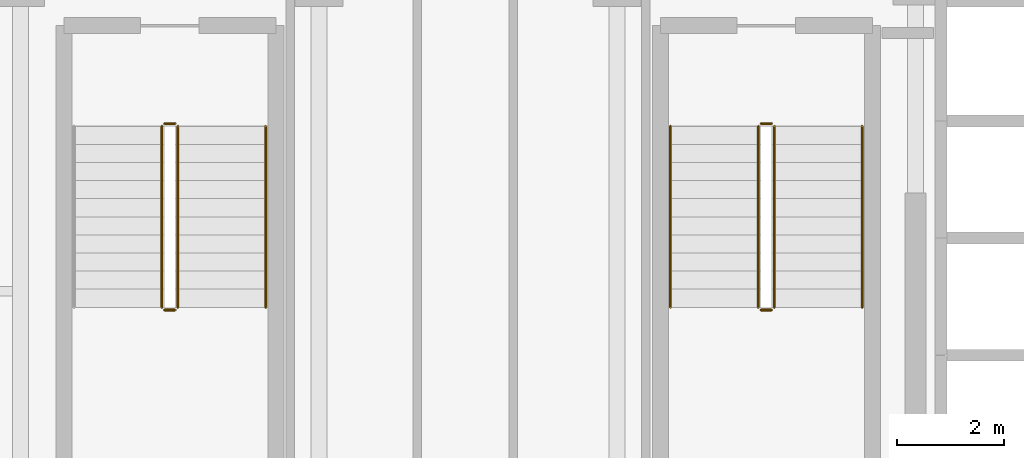
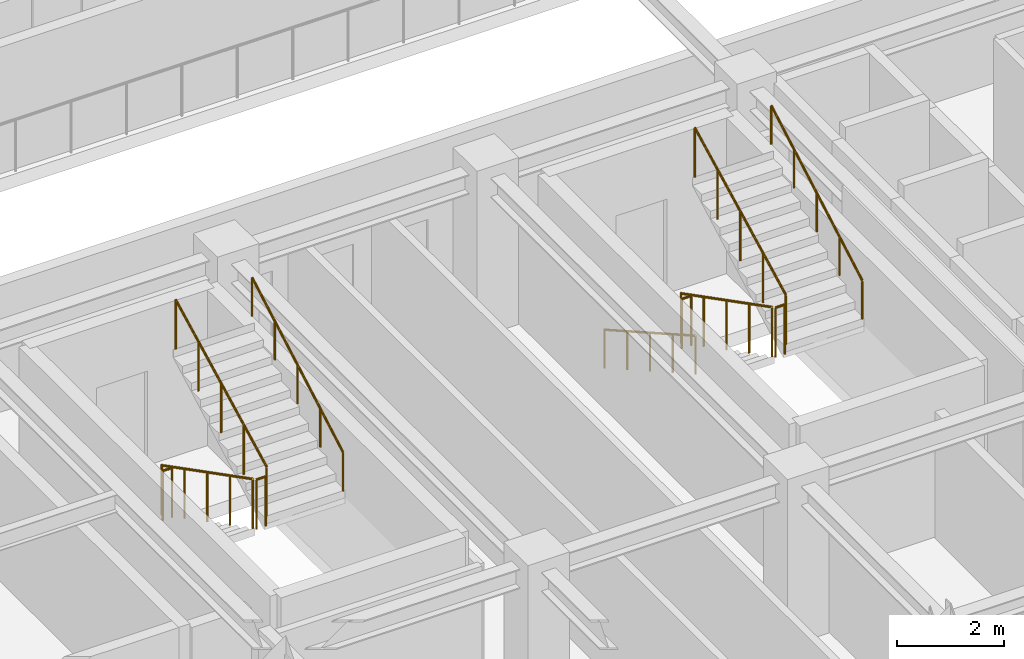
# One storey, part 10 of 14: 11 railings.
"""IFC4 building model written with IfcOpenShell, lengths in metres."""

from ifc_helpers import new_model, si_unit, direction, frame, origin, origin_2d, place, context, subcontext, project, spatial, circle, extrude, material, type_object, element, save


model = new_model("IFC4")

# Units and contexts
model_context = context("Model", 3, precision=1e-05, world=origin(), true_north=direction((0.0, 1.0)))
body_context = subcontext(model_context, "Body", "Model", "MODEL_VIEW")
ifc_project = project(units=[si_unit("LENGTHUNIT", "METRE"), si_unit("AREAUNIT", "SQUARE_METRE"), si_unit("VOLUMEUNIT", "CUBIC_METRE"), si_unit("PLANEANGLEUNIT", "RADIAN"), si_unit("MASSUNIT", "GRAM", prefix="KILO")], contexts=[model_context])

# Site, building, storey
site_placement = place(None, origin())
site = spatial("IfcSite", under=ifc_project, at=site_placement, CompositionType="ELEMENT")
building_placement = place(site_placement, origin())
building = spatial("IfcBuilding", under=site, at=building_placement, Name="Nahalor Promenade Grand Hotel", CompositionType="ELEMENT")
storey_placement = place(building_placement, frame((0.0, 0.0, 300.35009765625)))
storey = spatial("IfcBuildingStorey", under=building, at=storey_placement, Name="L77", CompositionType="ELEMENT", Elevation=300.35009765625)

# Railings
ifc_material = material(Name="Steel S355JR", Category="steel")
railing_type_1 = type_object("IfcRailingType", Name="Steel Stair Guardrail 1150 mm", PredefinedType="GUARDRAIL", material=ifc_material)
railing_1_placement = place(storey_placement, frame((5.449951171875, -8.10009765625, 0.1748046875)))
element("IfcRailing", 1, at=railing_1_placement, inside=storey, type_object=railing_type_1, Name="L77 ST2 stair guard 1", PredefinedType="GUARDRAIL", context=body_context, shape_type="SweptSolid", body=[
    extrude(circle(Radius=0.024048, at=origin_2d()), frame((0.0, 0.0, 1.1259765625), z_axis=(0.0, -0.889130461562, 0.457653823673), x_axis=(1.0, 0.0, 0.0)), (0.0, 0.0, 1.0), 3.82373046875),
    extrude(circle(Radius=0.020996, at=origin_2d()), origin(), (0.0, 0.0, 1.0), 1.099853515625),
    extrude(circle(Radius=0.020996, at=origin_2d()), frame((0.0, -0.85009765625, 0.4375)), (0.0, 0.0, 1.0), 1.099853515625),
    extrude(circle(Radius=0.020996, at=origin_2d()), frame((0.0, -1.699951171875, 0.875)), (0.0, 0.0, 1.0), 1.099853515625),
    extrude(circle(Radius=0.020996, at=origin_2d()), frame((0.0, -2.5498046875, 1.3125)), (0.0, 0.0, 1.0), 1.099853515625),
    extrude(circle(Radius=0.020996, at=origin_2d()), frame((0.0, -3.39990234375, 1.75)), (0.0, 0.0, 1.0), 1.099853515625),
])
railing_2_placement = place(storey_placement, frame((5.5, -11.550048828125, 1.9248046875)))
element("IfcRailing", 2, at=railing_2_placement, inside=storey, type_object=railing_type_1, Name="L77 ST2 stair guard 2", PredefinedType="GUARDRAIL", context=body_context, shape_type="SweptSolid", body=[
    extrude(circle(Radius=0.024048, at=origin_2d()), frame((0.0, 0.0, 1.1259765625), z_axis=(1.0, 0.0, 0.0), x_axis=(0.0, 1.0, 0.0)), (0.0, 0.0, 1.0), 0.199951171875),
    extrude(circle(Radius=0.020996, at=origin_2d()), origin(), (0.0, 0.0, 1.0), 1.099853515625),
    extrude(circle(Radius=0.020996, at=origin_2d()), frame((0.199951171875, 0.0, 0.0)), (0.0, 0.0, 1.0), 1.099853515625),
])
railing_3_placement = place(storey_placement, frame((5.75, -11.5, 2.099853515625)))
element("IfcRailing", 3, at=railing_3_placement, inside=storey, type_object=railing_type_1, Name="L77 ST2 stair guard 3", PredefinedType="GUARDRAIL", context=body_context, shape_type="SweptSolid", body=[
    extrude(circle(Radius=0.024048, at=origin_2d()), frame((0.0, 0.0, 1.1259765625), z_axis=(0.0, 0.889130461562, 0.457653823673), x_axis=(-1.0, 0.0, 0.0)), (0.0, 0.0, 1.0), 3.82373046875),
    extrude(circle(Radius=0.020996, at=origin_2d()), origin(), (0.0, 0.0, 1.0), 1.099853515625),
    extrude(circle(Radius=0.020996, at=origin_2d()), frame((0.0, 0.85009765625, 0.4375)), (0.0, 0.0, 1.0), 1.099853515625),
    extrude(circle(Radius=0.020996, at=origin_2d()), frame((0.0, 1.699951171875, 0.875)), (0.0, 0.0, 1.0), 1.099853515625),
    extrude(circle(Radius=0.020996, at=origin_2d()), frame((0.0, 2.5498046875, 1.3125)), (0.0, 0.0, 1.0), 1.099853515625),
    extrude(circle(Radius=0.020996, at=origin_2d()), frame((0.0, 3.39990234375, 1.75)), (0.0, 0.0, 1.0), 1.099853515625),
])
railing_4_placement = place(storey_placement, frame((5.5, -8.050048828125, 0.0)))
element("IfcRailing", 4, at=railing_4_placement, inside=storey, type_object=railing_type_1, Name="L77 ST2 stair guard 4", PredefinedType="GUARDRAIL", context=body_context, shape_type="SweptSolid", body=[
    extrude(circle(Radius=0.024048, at=origin_2d()), frame((0.0, 0.0, 1.1259765625), z_axis=(1.0, 0.0, 0.0), x_axis=(0.0, 1.0, 0.0)), (0.0, 0.0, 1.0), 0.199951171875),
    extrude(circle(Radius=0.020996, at=origin_2d()), origin(), (0.0, 0.0, 1.0), 1.099853515625),
    extrude(circle(Radius=0.020996, at=origin_2d()), frame((0.199951171875, 0.0, 0.0)), (0.0, 0.0, 1.0), 1.099853515625),
])
railing_5_placement = place(storey_placement, frame((-5.75, -8.10009765625, 0.1748046875)))
element("IfcRailing", 5, at=railing_5_placement, inside=storey, type_object=railing_type_1, Name="L77 ST3 stair guard 1", PredefinedType="GUARDRAIL", context=body_context, shape_type="SweptSolid", body=[
    extrude(circle(Radius=0.024048, at=origin_2d()), frame((0.0, 0.0, 1.1259765625), z_axis=(0.0, -0.889130461562, 0.457653823673), x_axis=(1.0, 0.0, 0.0)), (0.0, 0.0, 1.0), 3.82373046875),
    extrude(circle(Radius=0.020996, at=origin_2d()), origin(), (0.0, 0.0, 1.0), 1.099853515625),
    extrude(circle(Radius=0.020996, at=origin_2d()), frame((0.0, -0.85009765625, 0.4375)), (0.0, 0.0, 1.0), 1.099853515625),
    extrude(circle(Radius=0.020996, at=origin_2d()), frame((0.0, -1.699951171875, 0.875)), (0.0, 0.0, 1.0), 1.099853515625),
    extrude(circle(Radius=0.020996, at=origin_2d()), frame((0.0, -2.5498046875, 1.3125)), (0.0, 0.0, 1.0), 1.099853515625),
    extrude(circle(Radius=0.020996, at=origin_2d()), frame((0.0, -3.39990234375, 1.75)), (0.0, 0.0, 1.0), 1.099853515625),
])
railing_6_placement = place(storey_placement, frame((-5.699951171875, -11.550048828125, 1.9248046875)))
element("IfcRailing", 6, at=railing_6_placement, inside=storey, type_object=railing_type_1, Name="L77 ST3 stair guard 2", PredefinedType="GUARDRAIL", context=body_context, shape_type="SweptSolid", body=[
    extrude(circle(Radius=0.024048, at=origin_2d()), frame((0.0, 0.0, 1.1259765625), z_axis=(1.0, 0.0, 0.0), x_axis=(0.0, 1.0, 0.0)), (0.0, 0.0, 1.0), 0.199951171875),
    extrude(circle(Radius=0.020996, at=origin_2d()), origin(), (0.0, 0.0, 1.0), 1.099853515625),
    extrude(circle(Radius=0.020996, at=origin_2d()), frame((0.199951171875, 0.0, 0.0)), (0.0, 0.0, 1.0), 1.099853515625),
])
railing_7_placement = place(storey_placement, frame((-5.449951171875, -11.5, 2.099853515625)))
element("IfcRailing", 7, at=railing_7_placement, inside=storey, type_object=railing_type_1, Name="L77 ST3 stair guard 3", PredefinedType="GUARDRAIL", context=body_context, shape_type="SweptSolid", body=[
    extrude(circle(Radius=0.024048, at=origin_2d()), frame((0.0, 0.0, 1.1259765625), z_axis=(0.0, 0.889130461562, 0.457653823673), x_axis=(-1.0, 0.0, 0.0)), (0.0, 0.0, 1.0), 3.82373046875),
    extrude(circle(Radius=0.020996, at=origin_2d()), origin(), (0.0, 0.0, 1.0), 1.099853515625),
    extrude(circle(Radius=0.020996, at=origin_2d()), frame((0.0, 0.85009765625, 0.4375)), (0.0, 0.0, 1.0), 1.099853515625),
    extrude(circle(Radius=0.020996, at=origin_2d()), frame((0.0, 1.699951171875, 0.875)), (0.0, 0.0, 1.0), 1.099853515625),
    extrude(circle(Radius=0.020996, at=origin_2d()), frame((0.0, 2.5498046875, 1.3125)), (0.0, 0.0, 1.0), 1.099853515625),
    extrude(circle(Radius=0.020996, at=origin_2d()), frame((0.0, 3.39990234375, 1.75)), (0.0, 0.0, 1.0), 1.099853515625),
])
railing_8_placement = place(storey_placement, frame((-5.699951171875, -8.050048828125, 0.0)))
element("IfcRailing", 8, at=railing_8_placement, inside=storey, type_object=railing_type_1, Name="L77 ST3 stair guard 4", PredefinedType="GUARDRAIL", context=body_context, shape_type="SweptSolid", body=[
    extrude(circle(Radius=0.024048, at=origin_2d()), frame((0.0, 0.0, 1.1259765625), z_axis=(1.0, 0.0, 0.0), x_axis=(0.0, 1.0, 0.0)), (0.0, 0.0, 1.0), 0.199951171875),
    extrude(circle(Radius=0.020996, at=origin_2d()), origin(), (0.0, 0.0, 1.0), 1.099853515625),
    extrude(circle(Radius=0.020996, at=origin_2d()), frame((0.199951171875, 0.0, 0.0)), (0.0, 0.0, 1.0), 1.099853515625),
])
railing_type_2 = type_object("IfcRailingType", Name="Steel Stair Handrail 900 mm", PredefinedType="HANDRAIL", material=ifc_material)
railing_9_placement = place(storey_placement, frame((3.800048828125, -8.10009765625, 0.1748046875)))
element("IfcRailing", 9, at=railing_9_placement, inside=storey, type_object=railing_type_2, Name="L77 ST2 stair handrail 1", PredefinedType="HANDRAIL", context=body_context, shape_type="SweptSolid", body=[
    extrude(circle(Radius=0.024048, at=origin_2d()), frame((0.0, 0.0, 0.8759765625), z_axis=(0.0, -0.870193670192, 0.492709829776), x_axis=(1.0, 0.0, 0.0)), (0.0, 0.0, 1.0), 3.906982421875),
    extrude(circle(Radius=0.020996, at=origin_2d()), origin(), (0.0, 0.0, 1.0), 0.849853515625),
    extrude(circle(Radius=0.020996, at=origin_2d()), frame((0.0, -0.85009765625, 0.481201171875)), (0.0, 0.0, 1.0), 0.849853515625),
    extrude(circle(Radius=0.020996, at=origin_2d()), frame((0.0, -1.699951171875, 0.96240234375)), (0.0, 0.0, 1.0), 0.849853515625),
    extrude(circle(Radius=0.020996, at=origin_2d()), frame((0.0, -2.5498046875, 1.44384765625)), (0.0, 0.0, 1.0), 0.849853515625),
    extrude(circle(Radius=0.020996, at=origin_2d()), frame((0.0, -3.39990234375, 1.925048828125)), (0.0, 0.0, 1.0), 0.849853515625),
])
for number, where, name in (
    (10, (7.39990234375, -11.5, 2.099853515625), "L77 ST2 stair handrail 2"),
    (11, (-3.800048828125, -11.5, 2.099853515625), "L77 ST3 stair handrail 2"),
):
    element("IfcRailing", number, at=place(storey_placement, frame(where)), inside=storey, type_object=railing_type_2, Name=name, PredefinedType="HANDRAIL", context=body_context, shape_type="SweptSolid", body=[
        extrude(circle(Radius=0.024048, at=origin_2d()), frame((0.0, 0.0, 0.8759765625), z_axis=(0.0, 0.870193670192, 0.492709829776), x_axis=(-1.0, 0.0, 0.0)), (0.0, 0.0, 1.0), 3.906982421875),
        extrude(circle(Radius=0.020996, at=origin_2d()), origin(), (0.0, 0.0, 1.0), 0.849853515625),
        extrude(circle(Radius=0.020996, at=origin_2d()), frame((0.0, 0.85009765625, 0.481201171875)), (0.0, 0.0, 1.0), 0.849853515625),
        extrude(circle(Radius=0.020996, at=origin_2d()), frame((0.0, 1.699951171875, 0.96240234375)), (0.0, 0.0, 1.0), 0.849853515625),
        extrude(circle(Radius=0.020996, at=origin_2d()), frame((0.0, 2.5498046875, 1.44384765625)), (0.0, 0.0, 1.0), 0.849853515625),
        extrude(circle(Radius=0.020996, at=origin_2d()), frame((0.0, 3.39990234375, 1.925048828125)), (0.0, 0.0, 1.0), 0.849853515625),
    ])

save(model, "model.ifc")
